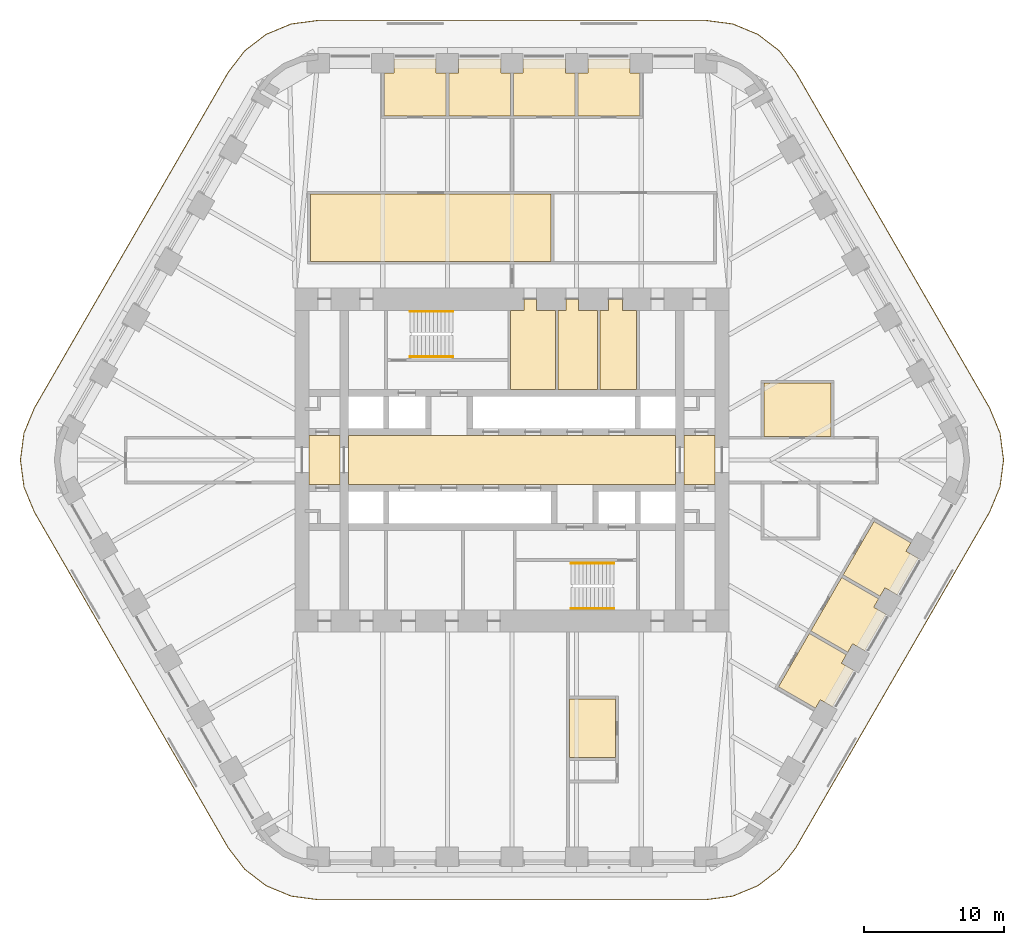
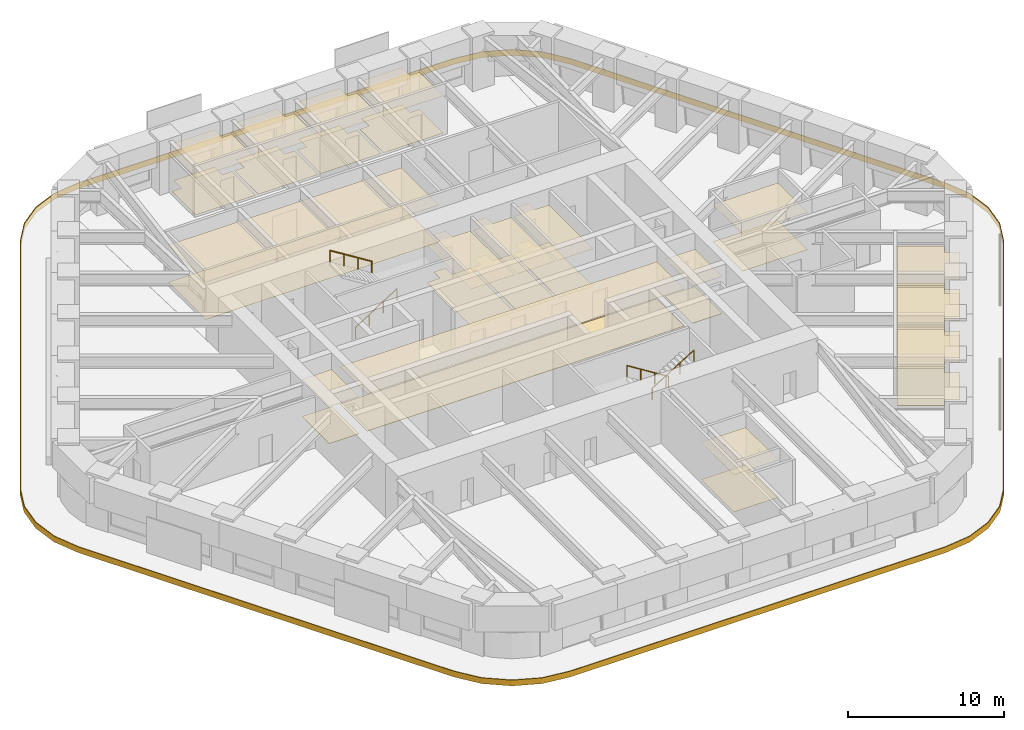
# One storey, part 19 of 20: 15 coverings, 4 railings.
"""IFC4 building model written with IfcOpenShell, lengths in metres."""

from ifc_helpers import new_model, si_unit, direction, frame, origin, origin_2d, place, context, subcontext, project, spatial, polyline, circle, outline, extrude, material, layer, layer_set, type_object, element, save


model = new_model("IFC4")

# Units and contexts
model_context = context("Model", 3, precision=1e-05, world=origin(), true_north=direction((0.0, 1.0)))
body_context = subcontext(model_context, "Body", "Model", "MODEL_VIEW")
ifc_project = project(units=[si_unit("LENGTHUNIT", "METRE"), si_unit("AREAUNIT", "SQUARE_METRE"), si_unit("VOLUMEUNIT", "CUBIC_METRE"), si_unit("PLANEANGLEUNIT", "RADIAN"), si_unit("MASSUNIT", "GRAM", prefix="KILO")], contexts=[model_context])

# Site, building, storey
site_placement = place(None, origin())
site = spatial("IfcSite", under=ifc_project, at=site_placement, CompositionType="ELEMENT")
building_placement = place(site_placement, origin())
building = spatial("IfcBuilding", under=site, at=building_placement, Name="Tarfa Lantern Tower", CompositionType="ELEMENT")
storey_placement = place(building_placement, frame((0.0, 0.0, 228.10009765625)))
storey = spatial("IfcBuildingStorey", under=building, at=storey_placement, Name="L51", CompositionType="ELEMENT", Elevation=228.10009765625)

# Coverings
ifc_material_1 = material(Name="Mineral fibre acoustic tile on suspension grid", Category="finish")
ifc_layer_1 = layer(ifc_material_1, 0.02001953125)
ifc_layer_set_1 = layer_set([ifc_layer_1], Name="CL1 ACOUSTIC TILE CEILING 20")
covering_type_1 = type_object("IfcCoveringType", Name="CL1 ACOUSTIC TILE CEILING 20", PredefinedType="CEILING", material=ifc_layer_set_1)
covering_1_placement = place(storey_placement, frame((0.0, 0.0, 2.89990234375)))
element("IfcCovering", 1, at=covering_1_placement, inside=storey, type_object=covering_type_1, Name="Ceiling L51 CL1", PredefinedType="CEILING", context=body_context, shape_type="SweptSolid", body=[
    extrude(outline(polyline([(-14.39990234375, 19.0), (2.800048828125, 19.0), (2.800048828125, 14.199951171875), (-14.39990234375, 14.199951171875), (-14.39990234375, 19.0)])), origin(), (0.0, 0.0, 1.0), 0.02001953125),
    extrude(outline(polyline([(9.1376953125, 24.60009765625), (4.71875, 24.60009765625), (4.71875, 27.64990234375), (5.418701171875, 27.64990234375), (5.418701171875, 28.64990234375), (8.4375, 28.64990234375), (8.4375, 27.64990234375), (9.1376953125, 27.64990234375), (9.1376953125, 24.60009765625)])), origin(), (0.0, 0.0, 1.0), 0.02001953125),
    extrude(outline(polyline([(4.518798828125, 24.60009765625), (0.10009765625, 24.60009765625), (0.10009765625, 27.64990234375), (0.800048828125, 27.64990234375), (0.800048828125, 28.64990234375), (3.81884765625, 28.64990234375), (3.81884765625, 27.64990234375), (4.518798828125, 27.64990234375), (4.518798828125, 24.60009765625)])), origin(), (0.0, 0.0, 1.0), 0.02001953125),
    extrude(outline(polyline([(-0.10009765625, 24.60009765625), (-4.518798828125, 24.60009765625), (-4.518798828125, 27.64990234375), (-3.81884765625, 27.64990234375), (-3.81884765625, 28.64990234375), (-0.800048828125, 28.64990234375), (-0.800048828125, 27.64990234375), (-0.10009765625, 27.64990234375), (-0.10009765625, 24.60009765625)])), origin(), (0.0, 0.0, 1.0), 0.02001953125),
    extrude(outline(polyline([(-4.71875, 24.60009765625), (-9.1376953125, 24.60009765625), (-9.1376953125, 27.64990234375), (-8.4375, 27.64990234375), (-8.4375, 28.64990234375), (-5.418701171875, 28.64990234375), (-5.418701171875, 27.64990234375), (-4.71875, 27.64990234375), (-4.71875, 24.60009765625)])), origin(), (0.0, 0.0, 1.0), 0.02001953125),
    extrude(outline(polyline([(21.254150390625, -12.38671875), (23.8955078125, -13.91162109375), (23.545654296875, -14.517822265625), (24.41162109375, -15.017822265625), (22.90234375, -17.632080078125), (22.0361328125, -17.132080078125), (21.686279296875, -17.73828125), (19.044921875, -16.21337890625), (21.254150390625, -12.38671875)])), origin(), (0.0, 0.0, 1.0), 0.02001953125),
    extrude(outline(polyline([(23.563720703125, -8.38671875), (26.205078125, -9.91162109375), (25.85498046875, -10.517822265625), (26.720947265625, -11.017822265625), (25.211669921875, -13.632080078125), (24.345703125, -13.132080078125), (23.99560546875, -13.73828125), (21.354248046875, -12.21337890625), (23.563720703125, -8.38671875)])), origin(), (0.0, 0.0, 1.0), 0.02001953125),
    extrude(outline(polyline([(25.873046875, -4.38671875), (28.514404296875, -5.91162109375), (28.164306640625, -6.517822265625), (29.030517578125, -7.017822265625), (27.52099609375, -9.632080078125), (26.655029296875, -9.132080078125), (26.304931640625, -9.73828125), (23.66357421875, -8.21337890625), (25.873046875, -4.38671875)])), origin(), (0.0, 0.0, 1.0), 0.02001953125),
    extrude(outline(polyline([(18.0, 5.5), (22.800048828125, 5.5), (22.800048828125, 1.699951171875), (18.0, 1.699951171875), (18.0, 5.5)])), origin(), (0.0, 0.0, 1.0), 0.02001953125),
    extrude(outline(polyline([(7.39990234375, -21.27490234375), (4.10009765625, -21.27490234375), (4.10009765625, -17.074951171875), (7.39990234375, -17.074951171875), (7.39990234375, -21.27490234375)])), origin(), (0.0, 0.0, 1.0), 0.02001953125),
])
ifc_material_2 = material(Name="Moisture-resistant plasterboard", Category="finish")
ifc_layer_2 = layer(ifc_material_2, 0.014892578125)
ifc_layer_set_2 = layer_set([ifc_layer_2], Name="CL2 MOISTURE-RESISTANT PLASTERBOARD CEILING 15")
covering_type_2 = type_object("IfcCoveringType", Name="CL2 MOISTURE-RESISTANT PLASTERBOARD CEILING 15", PredefinedType="CEILING", material=ifc_layer_set_2)
covering_2_placement = place(storey_placement, frame((0.0, 0.0, 2.89990234375)))
element("IfcCovering", 2, at=covering_2_placement, inside=storey, type_object=covering_type_2, Name="Ceiling L51-07", PredefinedType="CEILING", context=body_context, shape_type="SweptSolid", body=[
    extrude(outline(polyline([(0.85009765625, 10.699951171875), (-0.10009765625, 10.699951171875), (-0.10009765625, 5.050048828125), (3.10009765625, 5.050048828125), (3.10009765625, 10.699951171875), (1.75, 10.699951171875), (1.75, 11.5), (0.85009765625, 11.5), (0.85009765625, 10.699951171875)])), origin(), (0.0, 0.0, 1.0), 0.014892578125),
])
covering_3_placement = place(storey_placement, frame((0.0, 0.0, 2.89990234375)))
element("IfcCovering", 3, at=covering_3_placement, inside=storey, type_object=covering_type_2, Name="Ceiling L51-08", PredefinedType="CEILING", context=body_context, shape_type="SweptSolid", body=[
    extrude(outline(polyline([(3.300048828125, 5.050048828125), (6.10009765625, 5.050048828125), (6.10009765625, 10.699951171875), (4.75, 10.699951171875), (4.75, 11.5), (3.85009765625, 11.5), (3.85009765625, 10.699951171875), (3.300048828125, 10.699951171875), (3.300048828125, 5.050048828125)])), origin(), (0.0, 0.0, 1.0), 0.014892578125),
])
covering_4_placement = place(storey_placement, frame((0.0, 0.0, 2.89990234375)))
element("IfcCovering", 4, at=covering_4_placement, inside=storey, type_object=covering_type_2, Name="Ceiling L51-09", PredefinedType="CEILING", context=body_context, shape_type="SweptSolid", body=[
    extrude(outline(polyline([(6.300048828125, 5.050048828125), (8.89990234375, 5.050048828125), (8.89990234375, 10.699951171875), (7.89990234375, 10.699951171875), (7.89990234375, 11.5), (6.89990234375, 11.5), (6.89990234375, 10.699951171875), (6.300048828125, 10.699951171875), (6.300048828125, 5.050048828125)])), origin(), (0.0, 0.0, 1.0), 0.014892578125),
])
ifc_material_3 = material(Name="Powder-coated aluminium panel", Category="aluminium")
ifc_layer_3 = layer(ifc_material_3, 0.030029296875)
ifc_layer_set_3 = layer_set([ifc_layer_3], Name="CL3 METAL PANEL CEILING 30")
covering_type_3 = type_object("IfcCoveringType", Name="CL3 METAL PANEL CEILING 30", PredefinedType="CEILING", material=ifc_layer_set_3)
covering_5_placement = place(storey_placement, frame((0.0, 0.0, 2.89990234375)))
element("IfcCovering", 5, at=covering_5_placement, inside=storey, type_object=covering_type_3, Name="Ceiling L51-01", PredefinedType="CEILING", context=body_context, shape_type="SweptSolid", body=[
    extrude(outline(polyline([(-14.5, -1.75), (-12.300048828125, -1.75), (-12.300048828125, 1.75), (-14.5, 1.75), (-14.5, -1.75)])), origin(), (0.0, 0.0, 1.0), 0.030029296875),
])
covering_6_placement = place(storey_placement, frame((0.0, 0.0, 2.89990234375)))
element("IfcCovering", 6, at=covering_6_placement, inside=storey, type_object=covering_type_3, Name="Ceiling L51-02", PredefinedType="CEILING", context=body_context, shape_type="SweptSolid", body=[
    extrude(outline(polyline([(-11.699951171875, -1.75), (11.699951171875, -1.75), (11.699951171875, 1.75), (-11.699951171875, 1.75), (-11.699951171875, -1.75)])), origin(), (0.0, 0.0, 1.0), 0.030029296875),
])
covering_7_placement = place(storey_placement, frame((0.0, 0.0, 2.89990234375)))
element("IfcCovering", 7, at=covering_7_placement, inside=storey, type_object=covering_type_3, Name="Ceiling L51-03", PredefinedType="CEILING", context=body_context, shape_type="SweptSolid", body=[
    extrude(outline(polyline([(12.300048828125, -1.75), (14.5, -1.75), (14.5, 1.75), (12.300048828125, 1.75), (12.300048828125, -1.75)])), origin(), (0.0, 0.0, 1.0), 0.030029296875),
])
ifc_material_4 = material(Name="Nylon carpet tile", Category="finish")
ifc_layer_4 = layer(ifc_material_4, 0.010009765625)
ifc_layer_set_4 = layer_set([ifc_layer_4], Name="FL1 CARPET TILE 10")
covering_type_4 = type_object("IfcCoveringType", Name="FL1 CARPET TILE 10", PredefinedType="FLOORING", material=ifc_layer_set_4)
covering_8_placement = place(storey_placement, origin())
element("IfcCovering", 8, at=covering_8_placement, inside=storey, type_object=covering_type_4, Name="Floor finish L51 FL1", PredefinedType="FLOORING", context=body_context, shape_type="SweptSolid", body=[
    extrude(outline(polyline([(-14.39990234375, 19.0), (2.800048828125, 19.0), (2.800048828125, 14.199951171875), (-14.39990234375, 14.199951171875), (-14.39990234375, 19.0)])), origin(), (0.0, 0.0, 1.0), 0.010009765625),
    extrude(outline(polyline([(9.1376953125, 24.60009765625), (4.71875, 24.60009765625), (4.71875, 27.64990234375), (5.418701171875, 27.64990234375), (5.418701171875, 28.64990234375), (8.4375, 28.64990234375), (8.4375, 27.64990234375), (9.1376953125, 27.64990234375), (9.1376953125, 24.60009765625)])), origin(), (0.0, 0.0, 1.0), 0.010009765625),
    extrude(outline(polyline([(4.518798828125, 24.60009765625), (0.10009765625, 24.60009765625), (0.10009765625, 27.64990234375), (0.800048828125, 27.64990234375), (0.800048828125, 28.64990234375), (3.81884765625, 28.64990234375), (3.81884765625, 27.64990234375), (4.518798828125, 27.64990234375), (4.518798828125, 24.60009765625)])), origin(), (0.0, 0.0, 1.0), 0.010009765625),
    extrude(outline(polyline([(-0.10009765625, 24.60009765625), (-4.518798828125, 24.60009765625), (-4.518798828125, 27.64990234375), (-3.81884765625, 27.64990234375), (-3.81884765625, 28.64990234375), (-0.800048828125, 28.64990234375), (-0.800048828125, 27.64990234375), (-0.10009765625, 27.64990234375), (-0.10009765625, 24.60009765625)])), origin(), (0.0, 0.0, 1.0), 0.010009765625),
    extrude(outline(polyline([(-4.71875, 24.60009765625), (-9.1376953125, 24.60009765625), (-9.1376953125, 27.64990234375), (-8.4375, 27.64990234375), (-8.4375, 28.64990234375), (-5.418701171875, 28.64990234375), (-5.418701171875, 27.64990234375), (-4.71875, 27.64990234375), (-4.71875, 24.60009765625)])), origin(), (0.0, 0.0, 1.0), 0.010009765625),
    extrude(outline(polyline([(21.254150390625, -12.38671875), (23.8955078125, -13.91162109375), (23.545654296875, -14.517822265625), (24.41162109375, -15.017822265625), (22.90234375, -17.632080078125), (22.0361328125, -17.132080078125), (21.686279296875, -17.73828125), (19.044921875, -16.21337890625), (21.254150390625, -12.38671875)])), origin(), (0.0, 0.0, 1.0), 0.010009765625),
    extrude(outline(polyline([(23.563720703125, -8.38671875), (26.205078125, -9.91162109375), (25.85498046875, -10.517822265625), (26.720947265625, -11.017822265625), (25.211669921875, -13.632080078125), (24.345703125, -13.132080078125), (23.99560546875, -13.73828125), (21.354248046875, -12.21337890625), (23.563720703125, -8.38671875)])), origin(), (0.0, 0.0, 1.0), 0.010009765625),
    extrude(outline(polyline([(25.873046875, -4.38671875), (28.514404296875, -5.91162109375), (28.164306640625, -6.517822265625), (29.030517578125, -7.017822265625), (27.52099609375, -9.632080078125), (26.655029296875, -9.132080078125), (26.304931640625, -9.73828125), (23.66357421875, -8.21337890625), (25.873046875, -4.38671875)])), origin(), (0.0, 0.0, 1.0), 0.010009765625),
    extrude(outline(polyline([(18.0, 5.5), (22.800048828125, 5.5), (22.800048828125, 1.699951171875), (18.0, 1.699951171875), (18.0, 5.5)])), origin(), (0.0, 0.0, 1.0), 0.010009765625),
    extrude(outline(polyline([(7.39990234375, -21.27490234375), (4.10009765625, -21.27490234375), (4.10009765625, -17.074951171875), (7.39990234375, -17.074951171875), (7.39990234375, -21.27490234375)])), origin(), (0.0, 0.0, 1.0), 0.010009765625),
])
ifc_material_5 = material(Name="Honed limestone flooring", Category="masonry")
ifc_layer_5 = layer(ifc_material_5, 0.030029296875)
ifc_layer_set_5 = layer_set([ifc_layer_5], Name="FL2 STONE FLOORING 30")
covering_type_5 = type_object("IfcCoveringType", Name="FL2 STONE FLOORING 30", PredefinedType="FLOORING", material=ifc_layer_set_5)
covering_9_placement = place(storey_placement, origin())
element("IfcCovering", 9, at=covering_9_placement, inside=storey, type_object=covering_type_5, Name="Floor finish L51-01", PredefinedType="FLOORING", context=body_context, shape_type="SweptSolid", body=[
    extrude(outline(polyline([(-14.5, -1.75), (-12.300048828125, -1.75), (-12.300048828125, 1.75), (-14.5, 1.75), (-14.5, -1.75)])), origin(), (0.0, 0.0, 1.0), 0.02978515625),
])
covering_10_placement = place(storey_placement, origin())
element("IfcCovering", 10, at=covering_10_placement, inside=storey, type_object=covering_type_5, Name="Floor finish L51-02", PredefinedType="FLOORING", context=body_context, shape_type="SweptSolid", body=[
    extrude(outline(polyline([(-11.699951171875, -1.75), (11.699951171875, -1.75), (11.699951171875, 1.75), (-11.699951171875, 1.75), (-11.699951171875, -1.75)])), origin(), (0.0, 0.0, 1.0), 0.02978515625),
])
covering_11_placement = place(storey_placement, origin())
element("IfcCovering", 11, at=covering_11_placement, inside=storey, type_object=covering_type_5, Name="Floor finish L51-03", PredefinedType="FLOORING", context=body_context, shape_type="SweptSolid", body=[
    extrude(outline(polyline([(12.300048828125, -1.75), (14.5, -1.75), (14.5, 1.75), (12.300048828125, 1.75), (12.300048828125, -1.75)])), origin(), (0.0, 0.0, 1.0), 0.02978515625),
])
ifc_material_6 = material(Name="Porcelain floor tile", Category="finish")
ifc_layer_6 = layer(ifc_material_6, 0.011962890625)
ifc_layer_set_6 = layer_set([ifc_layer_6], Name="FL3 CERAMIC TILE 12")
covering_type_6 = type_object("IfcCoveringType", Name="FL3 CERAMIC TILE 12", PredefinedType="FLOORING", material=ifc_layer_set_6)
covering_12_placement = place(storey_placement, origin())
element("IfcCovering", 12, at=covering_12_placement, inside=storey, type_object=covering_type_6, Name="Floor finish L51-07", PredefinedType="FLOORING", context=body_context, shape_type="SweptSolid", body=[
    extrude(outline(polyline([(0.85009765625, 10.699951171875), (-0.10009765625, 10.699951171875), (-0.10009765625, 5.050048828125), (3.10009765625, 5.050048828125), (3.10009765625, 10.699951171875), (1.75, 10.699951171875), (1.75, 11.5), (0.85009765625, 11.5), (0.85009765625, 10.699951171875)])), origin(), (0.0, 0.0, 1.0), 0.011962890625),
])
covering_13_placement = place(storey_placement, origin())
element("IfcCovering", 13, at=covering_13_placement, inside=storey, type_object=covering_type_6, Name="Floor finish L51-08", PredefinedType="FLOORING", context=body_context, shape_type="SweptSolid", body=[
    extrude(outline(polyline([(3.300048828125, 5.050048828125), (6.10009765625, 5.050048828125), (6.10009765625, 10.699951171875), (4.75, 10.699951171875), (4.75, 11.5), (3.85009765625, 11.5), (3.85009765625, 10.699951171875), (3.300048828125, 10.699951171875), (3.300048828125, 5.050048828125)])), origin(), (0.0, 0.0, 1.0), 0.011962890625),
])
covering_14_placement = place(storey_placement, origin())
element("IfcCovering", 14, at=covering_14_placement, inside=storey, type_object=covering_type_6, Name="Floor finish L51-09", PredefinedType="FLOORING", context=body_context, shape_type="SweptSolid", body=[
    extrude(outline(polyline([(6.300048828125, 5.050048828125), (8.89990234375, 5.050048828125), (8.89990234375, 10.699951171875), (7.89990234375, 10.699951171875), (7.89990234375, 11.5), (6.89990234375, 11.5), (6.89990234375, 10.699951171875), (6.300048828125, 10.699951171875), (6.300048828125, 5.050048828125)])), origin(), (0.0, 0.0, 1.0), 0.011962890625),
])

# Railings
ifc_material_7 = material(Name="Stainless steel", Category="steel")
railing_type = type_object("IfcRailingType", Name="HR1 HANDRAIL 900", PredefinedType="HANDRAIL", material=ifc_material_7)
railing_1_placement = place(storey_placement, frame((-7.300048828125, 7.3798828125, 0.1748046875)))
element("IfcRailing", 15, at=railing_1_placement, inside=storey, type_object=railing_type, Name="Handrail 1", PredefinedType="HANDRAIL", context=body_context, shape_type="SweptSolid", body=[
    extrude(circle(Radius=0.02392578125, at=origin_2d()), frame((0.0, 0.0, 0.8759765625), z_axis=(0.847998304005, 0.0, 0.529998940003), x_axis=(0.0, 1.0, 0.0)), (0.0, 0.0, 1.0), 3.632080078125),
    extrude(circle(Radius=0.02099609375, at=origin_2d()), frame((0.0, 0.0, 0.0), z_axis=(0.0, 0.0, 1.0), x_axis=(0.0, 1.0, 0.0)), (0.0, 0.0, 1.0), 0.851806640625),
    extrude(circle(Radius=0.02099609375, at=origin_2d()), frame((1.026611328125, 0.0, 0.6416015625), z_axis=(0.0, 0.0, 1.0), x_axis=(0.0, 1.0, 0.0)), (0.0, 0.0, 1.0), 0.851806640625),
    extrude(circle(Radius=0.02099609375, at=origin_2d()), frame((2.053466796875, 0.0, 1.283447265625), z_axis=(0.0, 0.0, 1.0), x_axis=(0.0, 1.0, 0.0)), (0.0, 0.0, 1.0), 0.851806640625),
    extrude(circle(Radius=0.02099609375, at=origin_2d()), frame((3.080078125, 0.0, 1.925048828125), z_axis=(0.0, 0.0, 1.0), x_axis=(0.0, 1.0, 0.0)), (0.0, 0.0, 1.0), 0.851806640625),
])
for number, where, name in (
    (16, (-4.219970703125, 10.6201171875, 2.27490234375), "Handrail 2"),
    (17, (7.300048828125, -7.3798828125, 0.1748046875), "Handrail 1"),
):
    element("IfcRailing", number, at=place(storey_placement, frame(where)), inside=storey, type_object=railing_type, Name=name, PredefinedType="HANDRAIL", context=body_context, shape_type="SweptSolid", body=[
        extrude(circle(Radius=0.02392578125, at=origin_2d()), frame((0.0, 0.0, 0.8759765625), z_axis=(-0.847998304005, 0.0, 0.529998940003), x_axis=(0.0, -1.0, 0.0)), (0.0, 0.0, 1.0), 3.632080078125),
        extrude(circle(Radius=0.02099609375, at=origin_2d()), frame((0.0, 0.0, 0.0), z_axis=(0.0, 0.0, 1.0), x_axis=(0.0, -1.0, 0.0)), (0.0, 0.0, 1.0), 0.851806640625),
        extrude(circle(Radius=0.02099609375, at=origin_2d()), frame((-1.026611328125, 0.0, 0.6416015625), z_axis=(0.0, 0.0, 1.0), x_axis=(0.0, -1.0, 0.0)), (0.0, 0.0, 1.0), 0.851806640625),
        extrude(circle(Radius=0.02099609375, at=origin_2d()), frame((-2.053466796875, 0.0, 1.283447265625), z_axis=(0.0, 0.0, 1.0), x_axis=(0.0, -1.0, 0.0)), (0.0, 0.0, 1.0), 0.851806640625),
        extrude(circle(Radius=0.02099609375, at=origin_2d()), frame((-3.080078125, 0.0, 1.925048828125), z_axis=(0.0, 0.0, 1.0), x_axis=(0.0, -1.0, 0.0)), (0.0, 0.0, 1.0), 0.851806640625),
    ])
railing_2_placement = place(storey_placement, frame((4.219970703125, -10.6201171875, 2.27490234375)))
element("IfcRailing", 18, at=railing_2_placement, inside=storey, type_object=railing_type, Name="Handrail 2", PredefinedType="HANDRAIL", context=body_context, shape_type="SweptSolid", body=[
    extrude(circle(Radius=0.02392578125, at=origin_2d()), frame((0.0, 0.0, 0.8759765625), z_axis=(0.847998304005, 0.0, 0.529998940003), x_axis=(0.0, 1.0, 0.0)), (0.0, 0.0, 1.0), 3.632080078125),
    extrude(circle(Radius=0.02099609375, at=origin_2d()), frame((0.0, 0.0, 0.0), z_axis=(0.0, 0.0, 1.0), x_axis=(0.0, 1.0, 0.0)), (0.0, 0.0, 1.0), 0.851806640625),
    extrude(circle(Radius=0.02099609375, at=origin_2d()), frame((1.026611328125, 0.0, 0.6416015625), z_axis=(0.0, 0.0, 1.0), x_axis=(0.0, 1.0, 0.0)), (0.0, 0.0, 1.0), 0.851806640625),
    extrude(circle(Radius=0.02099609375, at=origin_2d()), frame((2.053466796875, 0.0, 1.283447265625), z_axis=(0.0, 0.0, 1.0), x_axis=(0.0, 1.0, 0.0)), (0.0, 0.0, 1.0), 0.851806640625),
    extrude(circle(Radius=0.02099609375, at=origin_2d()), frame((3.080078125, 0.0, 1.925048828125), z_axis=(0.0, 0.0, 1.0), x_axis=(0.0, 1.0, 0.0)), (0.0, 0.0, 1.0), 0.851806640625),
])

# Covering
ifc_material_8 = material(Name="Limestone cladding on brackets", Category="masonry")
ifc_layer_7 = layer(ifc_material_8, 0.050048828125)
ifc_layer_set_7 = layer_set([ifc_layer_7], Name="SB1 STONE BAND CLADDING 50")
covering_type_7 = type_object("IfcCoveringType", Name="SB1 STONE BAND CLADDING 50", PredefinedType="CLADDING", material=ifc_layer_set_7)
covering_15_placement = place(storey_placement, frame((0.0, 0.0, -0.400146484375)))
element("IfcCovering", 19, at=covering_15_placement, inside=storey, type_object=covering_type_7, Name="Stone band", PredefinedType="CLADDING", context=body_context, shape_type="SweptSolid", body=[
    extrude(outline(polyline([(34.164794921875, 3.72509765625), (20.308349609375, 27.72509765625), (19.124267578125, 29.26806640625), (17.581298828125, 30.451904296875), (15.78466796875, 31.196044921875), (13.8564453125, 31.449951171875), (-13.8564453125, 31.449951171875), (-15.78466796875, 31.196044921875), (-17.581298828125, 30.451904296875), (-19.124267578125, 29.26806640625), (-20.308349609375, 27.72509765625), (-34.164794921875, 3.72509765625), (-34.908935546875, 1.92822265625), (-35.162841796875, 0.0), (-34.908935546875, -1.92822265625), (-34.164794921875, -3.72509765625), (-20.308349609375, -27.72509765625), (-19.124267578125, -29.26806640625), (-17.581298828125, -30.451904296875), (-15.78466796875, -31.196044921875), (-13.8564453125, -31.449951171875), (13.8564453125, -31.449951171875), (15.78466796875, -31.196044921875), (17.581298828125, -30.451904296875), (19.124267578125, -29.26806640625), (20.308349609375, -27.72509765625), (34.164794921875, -3.72509765625), (34.908935546875, -1.92822265625), (35.162841796875, 0.0), (34.908935546875, 1.92822265625), (34.164794921875, 3.72509765625)]), holes=[polyline([(34.121337890625, 3.699951171875), (20.264892578125, 27.699951171875), (19.089111328125, 29.232666015625), (17.556396484375, 30.40869140625), (15.771728515625, 31.14794921875), (13.8564453125, 31.39990234375), (-13.8564453125, 31.39990234375), (-15.771728515625, 31.14794921875), (-17.556396484375, 30.40869140625), (-19.089111328125, 29.232666015625), (-20.264892578125, 27.699951171875), (-34.121337890625, 3.699951171875), (-34.860595703125, 1.915283203125), (-35.11279296875, 0.0), (-34.860595703125, -1.915283203125), (-34.121337890625, -3.699951171875), (-20.264892578125, -27.699951171875), (-19.089111328125, -29.232666015625), (-17.556396484375, -30.40869140625), (-15.771728515625, -31.14794921875), (-13.8564453125, -31.39990234375), (13.8564453125, -31.39990234375), (15.771728515625, -31.14794921875), (17.556396484375, -30.40869140625), (19.089111328125, -29.232666015625), (20.264892578125, -27.699951171875), (34.121337890625, -3.699951171875), (34.860595703125, -1.915283203125), (35.11279296875, 0.0), (34.860595703125, 1.915283203125), (34.121337890625, 3.699951171875)])]), origin(), (0.0, 0.0, 1.0), 0.449951171875),
])

save(model, "model.ifc")
